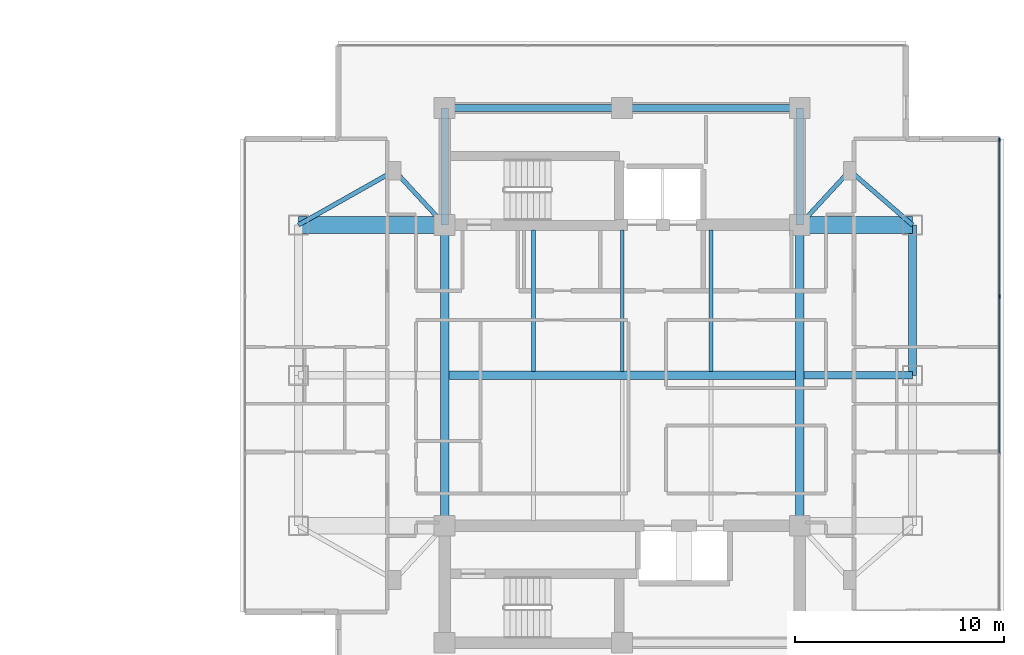
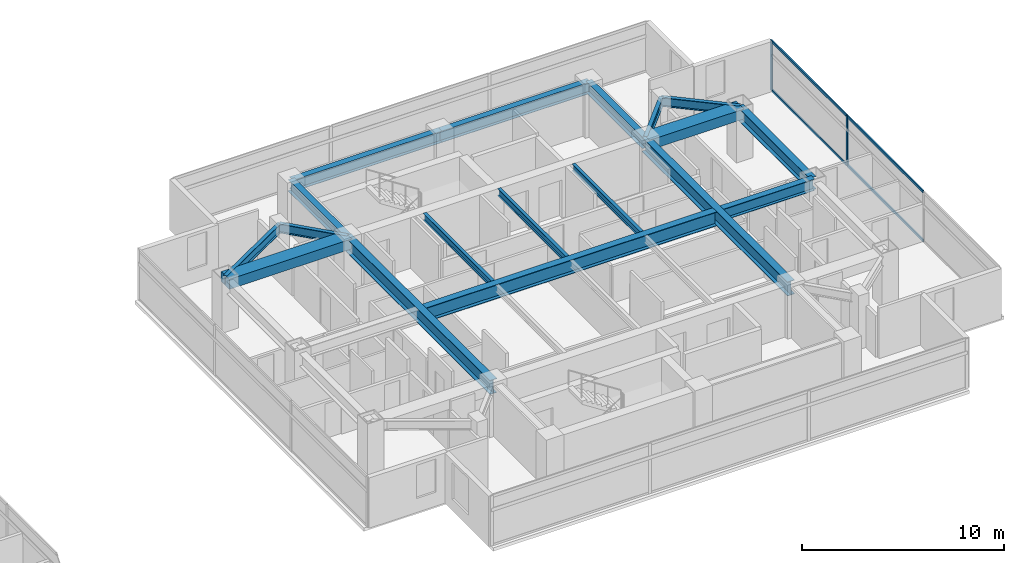
# One storey, part 9 of 25: 18 beams, 6 members, 1 element without a shape of its own.
"""IFC4 building model written with IfcOpenShell, lengths in metres."""

from ifc_helpers import new_model, si_unit, direction, frame, origin, origin_2d, place, context, subcontext, project, spatial, rectangle, i_section, extrude, material, material_profile, profile_set, type_object, element, aggregate, save


model = new_model("IFC4")

# Units and contexts
model_context = context("Model", 3, precision=1e-05, world=origin(), true_north=direction((0.0, 1.0)))
body_context = subcontext(model_context, "Body", "Model", "MODEL_VIEW")
ifc_project = project(units=[si_unit("LENGTHUNIT", "METRE"), si_unit("AREAUNIT", "SQUARE_METRE"), si_unit("VOLUMEUNIT", "CUBIC_METRE"), si_unit("PLANEANGLEUNIT", "RADIAN"), si_unit("MASSUNIT", "GRAM", prefix="KILO")], contexts=[model_context])

# Site, building, storey
site_placement = place(None, origin())
site = spatial("IfcSite", under=ifc_project, at=site_placement, CompositionType="ELEMENT")
building_placement = place(site_placement, origin())
building = spatial("IfcBuilding", under=site, at=building_placement, Name="Mirazonda Arch Towers", CompositionType="ELEMENT")
storey_placement = place(building_placement, frame((0.0, 0.0, 173.89990234375)))
storey = spatial("IfcBuildingStorey", under=building, at=storey_placement, Name="L49", CompositionType="ELEMENT", Elevation=173.89990234375)

# Beams
ifc_material_1 = material(Name="Steel ASTM A992 Grade 50", Category="steel")
ifc_material_profile_1 = material_profile(ifc_material_1, i_section(OverallWidth=0.381103515625, OverallDepth=0.77294921875, WebThickness=0.0166015625, FlangeThickness=0.027099609375, at=origin_2d()), Name="W30X173")
ifc_profile_set_1 = profile_set([ifc_material_profile_1], Name="Steel ASTM A992 Grade 50")
beam_type_1 = type_object("IfcBeamType", Name="BM-EXT-W30X173", PredefinedType="USERDEFINED", material=ifc_profile_set_1)
beam_1_placement = place(storey_placement, frame((90.39990234375, 28.0, 2.66357421875), z_axis=(0.0, 1.0, 0.0), x_axis=(-1.0, 0.0, 0.0)))
element("IfcBeam", 1, at=beam_1_placement, inside=storey, type_object=beam_type_1, Name="L49 Floor Beam BM-T2-L49-NS-E-28", ObjectType="GIRDER", PredefinedType="USERDEFINED", context=body_context, shape_type="SweptSolid", body=[
    extrude(i_section(OverallWidth=0.381103515625, OverallDepth=0.77294921875, WebThickness=0.0166015625, FlangeThickness=0.027099609375, at=origin_2d()), origin(), (0.0, 0.0, 1.0), 7.199951171875),
])
ifc_material_profile_2 = material_profile(ifc_material_1, i_section(OverallWidth=0.180908203125, OverallDepth=0.4169921875, WebThickness=0.010986328125, FlangeThickness=0.018310546875, at=origin_2d()), Name="W16X57")
ifc_profile_set_2 = profile_set([ifc_material_profile_2], Name="Steel ASTM A992 Grade 50")
beam_type_2 = type_object("IfcBeamType", Name="BM-INT-W16X57", PredefinedType="JOIST", material=ifc_profile_set_2)
for number, where, z_axis, x_axis, name in (
    (2, (72.25, 28.196044921875, 2.841552734375), (0.0, 1.0, 0.0), (-1.0, 0.0, 0.0), "L49 Floor Beam BM-T2-L49-J-722-28"),
    (3, (76.5, 28.196044921875, 2.841552734375), (0.0, 1.0, 0.0), (-1.0, 0.0, 0.0), "L49 Floor Beam BM-T2-L49-J-765-28"),
    (4, (80.75, 28.196044921875, 2.841552734375), (0.0, 1.0, 0.0), (-1.0, 0.0, 0.0), "L49 Floor Beam BM-T2-L49-J-807-28"),
):
    element("IfcBeam", number, at=place(storey_placement, frame(where, z_axis=z_axis, x_axis=x_axis)), inside=storey, type_object=beam_type_2, Name=name, PredefinedType="JOIST", context=body_context, shape_type="SweptSolid", body=[
        extrude(i_section(OverallWidth=0.180908203125, OverallDepth=0.4169921875, WebThickness=0.010986328125, FlangeThickness=0.018310546875, at=origin_2d()), origin(), (0.0, 0.0, 1.0), 6.763916015625),
    ])
ifc_material_profile_3 = material_profile(ifc_material_1, i_section(OverallWidth=0.214111328125, OverallDepth=0.549072265625, WebThickness=0.0146484375, FlangeThickness=0.023681640625, at=origin_2d()), Name="W21X93")
ifc_profile_set_3 = profile_set([ifc_material_profile_3], Name="Steel ASTM A992 Grade 50")
beam_type_3 = type_object("IfcBeamType", Name="BM-INT-W21X93", PredefinedType="BEAM", material=ifc_profile_set_3)
beam_2_placement = place(storey_placement, frame((65.60009765625, 37.800048828125, 2.775634765625), z_axis=(0.678251444854, -0.734829897019, 0.0), x_axis=(0.734829897019, 0.678251444854, 0.0)))
element("IfcBeam", 5, at=beam_2_placement, inside=storey, type_object=beam_type_3, Name="L49 Floor Beam BM-T2-L49-PL-NW1", PredefinedType="BEAM", context=body_context, shape_type="SweptSolid", body=[
    extrude(i_section(OverallWidth=0.214111328125, OverallDepth=0.549072265625, WebThickness=0.0146484375, FlangeThickness=0.023681640625, at=origin_2d()), origin(), (0.0, 0.0, 1.0), 3.538330078125),
])
beam_3_placement = place(storey_placement, frame((65.60009765625, 37.800048828125, 2.775634765625), z_axis=(-0.870559396632, -0.492063346467, 0.0), x_axis=(0.492063346467, -0.870559396632, 0.0)))
element("IfcBeam", 6, at=beam_3_placement, inside=storey, type_object=beam_type_3, Name="L49 Floor Beam BM-T2-L49-PL-NW2", PredefinedType="BEAM", context=body_context, shape_type="SweptSolid", body=[
    extrude(i_section(OverallWidth=0.214111328125, OverallDepth=0.549072265625, WebThickness=0.0146484375, FlangeThickness=0.023681640625, at=origin_2d()), origin(), (0.0, 0.0, 1.0), 5.2841796875),
])
beam_4_placement = place(storey_placement, frame((87.39990234375, 37.800048828125, 2.775634765625), z_axis=(-0.678251444854, -0.734829897019, 0.0), x_axis=(0.734829897019, -0.678251444854, 0.0)))
element("IfcBeam", 7, at=beam_4_placement, inside=storey, type_object=beam_type_3, Name="L49 Floor Beam BM-T2-L49-PL-NE1", PredefinedType="BEAM", context=body_context, shape_type="SweptSolid", body=[
    extrude(i_section(OverallWidth=0.214111328125, OverallDepth=0.549072265625, WebThickness=0.0146484375, FlangeThickness=0.023681640625, at=origin_2d()), origin(), (0.0, 0.0, 1.0), 3.538330078125),
])
beam_5_placement = place(storey_placement, frame((87.39990234375, 37.800048828125, 2.775634765625), z_axis=(0.755676908098, -0.654944585876, 0.0), x_axis=(0.654944585876, 0.755676908098, 0.0)))
element("IfcBeam", 8, at=beam_5_placement, inside=storey, type_object=beam_type_3, Name="L49 Floor Beam BM-T2-L49-PL-NE2", PredefinedType="BEAM", context=body_context, shape_type="SweptSolid", body=[
    extrude(i_section(OverallWidth=0.214111328125, OverallDepth=0.549072265625, WebThickness=0.0146484375, FlangeThickness=0.023681640625, at=origin_2d()), origin(), (0.0, 0.0, 1.0), 3.969970703125),
])
ifc_material_profile_4 = material_profile(ifc_material_1, i_section(OverallWidth=0.35498046875, OverallDepth=0.696044921875, WebThickness=0.015380859375, FlangeThickness=0.02490234375, at=origin_2d()), Name="W27X146")
ifc_profile_set_4 = profile_set([ifc_material_profile_4], Name="Steel ASTM A992 Grade 50")
beam_type_4 = type_object("IfcBeamType", Name="BM-INT-W27X146", PredefinedType="BEAM", material=ifc_profile_set_4)
for number, where, z_axis, x_axis, name in (
    (9, (68.0, 40.800048828125, 2.7021484375), (1.0, 0.0, 0.0), (0.0, 1.0, 0.0), "L49 Floor Beam BM-T2-L49-CN1"),
    (10, (76.5, 40.800048828125, 2.7021484375), (1.0, 0.0, 0.0), (0.0, 1.0, 0.0), "L49 Floor Beam BM-T2-L49-CN2"),
):
    element("IfcBeam", number, at=place(storey_placement, frame(where, z_axis=z_axis, x_axis=x_axis)), inside=storey, type_object=beam_type_4, Name=name, PredefinedType="BEAM", context=body_context, shape_type="SweptSolid", body=[
        extrude(i_section(OverallWidth=0.35498046875, OverallDepth=0.696044921875, WebThickness=0.015380859375, FlangeThickness=0.02490234375, at=origin_2d()), origin(), (0.0, 0.0, 1.0), 8.5),
    ])
for number, where, z_axis, x_axis, name in (
    (11, (68.0, 35.199951171875, 2.7021484375), (0.0, 1.0, 0.0), (-1.0, 0.0, 0.0), "L49 Floor Beam BM-T2-L49-CNW"),
    (12, (85.0, 35.199951171875, 2.7021484375), (0.0, 1.0, 0.0), (-1.0, 0.0, 0.0), "L49 Floor Beam BM-T2-L49-CNE"),
):
    element("IfcBeam", number, at=place(storey_placement, frame(where, z_axis=z_axis, x_axis=x_axis)), inside=storey, type_object=beam_type_4, Name=name, PredefinedType="BEAM", context=body_context, shape_type="SweptSolid", body=[
        extrude(i_section(OverallWidth=0.35498046875, OverallDepth=0.696044921875, WebThickness=0.015380859375, FlangeThickness=0.02490234375, at=origin_2d()), origin(), (0.0, 0.0, 1.0), 5.60009765625),
    ])
beam_6_placement = place(storey_placement, frame((85.199951171875, 28.0, 2.7021484375), z_axis=(1.0, 0.0, 0.0), x_axis=(0.0, 1.0, 0.0)))
element("IfcBeam", 13, at=beam_6_placement, inside=storey, type_object=beam_type_4, Name="L49 Floor Beam BM-T2-L49-GE2", PredefinedType="BEAM", context=body_context, shape_type="SweptSolid", body=[
    extrude(i_section(OverallWidth=0.35498046875, OverallDepth=0.696044921875, WebThickness=0.015380859375, FlangeThickness=0.02490234375, at=origin_2d()), origin(), (0.0, 0.0, 1.0), 5.199951171875),
])
ifc_material_profile_5 = material_profile(ifc_material_1, i_section(OverallWidth=0.39990234375, OverallDepth=0.85595703125, WebThickness=0.018310546875, FlangeThickness=0.029296875, at=origin_2d()), Name="W33X201")
ifc_profile_set_5 = profile_set([ifc_material_profile_5], Name="Steel ASTM A992 Grade 50")
beam_type_5 = type_object("IfcBeamType", Name="BM-INT-W33X201", PredefinedType="USERDEFINED", material=ifc_profile_set_5)
beam_7_placement = place(storey_placement, frame((68.199951171875, 28.0, 2.6220703125), z_axis=(1.0, 0.0, 0.0), x_axis=(0.0, 1.0, 0.0)))
element("IfcBeam", 14, at=beam_7_placement, inside=storey, type_object=beam_type_5, Name="L49 Floor Beam BM-T2-L49-GC2", ObjectType="GIRDER", PredefinedType="USERDEFINED", context=body_context, shape_type="SweptSolid", body=[
    extrude(i_section(OverallWidth=0.39990234375, OverallDepth=0.85595703125, WebThickness=0.018310546875, FlangeThickness=0.029296875, at=origin_2d()), origin(), (0.0, 0.0, 1.0), 16.60009765625),
])
for number, where, z_axis, x_axis, name in (
    (15, (68.0, 20.800048828125, 2.6220703125), (0.0, 1.0, 0.0), (-1.0, 0.0, 0.0), "L49 Floor Beam BM-T2-L49-NS-CW-FULL"),
    (16, (85.0, 20.800048828125, 2.6220703125), (0.0, 1.0, 0.0), (-1.0, 0.0, 0.0), "L49 Floor Beam BM-T2-L49-NS-CE-FULL"),
):
    element("IfcBeam", number, at=place(storey_placement, frame(where, z_axis=z_axis, x_axis=x_axis)), inside=storey, type_object=beam_type_5, Name=name, ObjectType="GIRDER", PredefinedType="USERDEFINED", context=body_context, shape_type="SweptSolid", body=[
        extrude(i_section(OverallWidth=0.39990234375, OverallDepth=0.85595703125, WebThickness=0.018310546875, FlangeThickness=0.029296875, at=origin_2d()), origin(), (0.0, 0.0, 1.0), 14.39990234375),
    ])
ifc_material_2 = material(Name="Concrete C60/75", Category="concrete")
ifc_material_profile_6 = material_profile(ifc_material_2, rectangle(XDim=0.800048828125, YDim=0.60009765625, at=origin_2d()), Name="RCCB800x600")
ifc_profile_set_6 = profile_set([ifc_material_profile_6], Name="Concrete C60/75")
beam_type_6 = type_object("IfcBeamType", Name="CB-INT-RCCB800x600", PredefinedType="SPANDREL", material=ifc_profile_set_6)
beam_8_placement = place(storey_placement, frame((61.0, 35.199951171875, 2.75), z_axis=(1.0, 0.0, 0.0), x_axis=(0.0, 1.0, 0.0)))
element("IfcBeam", 17, at=beam_8_placement, inside=storey, type_object=beam_type_6, Name="L49 Floor Beam CBC-T2-L49-NW", PredefinedType="SPANDREL", context=body_context, shape_type="SweptSolid", body=[
    extrude(rectangle(XDim=0.800048828125, YDim=0.60009765625, at=origin_2d()), origin(), (0.0, 0.0, 1.0), 7.0),
])
beam_9_placement = place(storey_placement, frame((85.0, 35.199951171875, 2.75), z_axis=(1.0, 0.0, 0.0), x_axis=(0.0, 1.0, 0.0)))
element("IfcBeam", 18, at=beam_9_placement, inside=storey, type_object=beam_type_6, Name="L49 Floor Beam CBC-T2-L49-NE", PredefinedType="SPANDREL", context=body_context, shape_type="SweptSolid", body=[
    extrude(rectangle(XDim=0.800048828125, YDim=0.60009765625, at=origin_2d()), origin(), (0.0, 0.0, 1.0), 5.39990234375),
])

# Curtain wall, members
ifc_material_3 = material(Name="Anodised Aluminium and Low-E Glass", Category="aluminium")
curtain_wall_type = type_object("IfcCurtainWallType", Name="CW-RES-UNIT", PredefinedType="NOTDEFINED", material=ifc_material_3)
curtain_wall_placement = place(storey_placement, origin())
curtain_wall = element("IfcCurtainWall", 19, at=curtain_wall_placement, inside=storey, type_object=curtain_wall_type, Name="L49 T2 E Facade CW-L49-T2-E", PredefinedType="NOTDEFINED")
ifc_material_4 = material(Name="Anodised Aluminium Alloy", Category="aluminium")
ifc_material_profile_7 = material_profile(ifc_material_4, rectangle(XDim=0.074951171875, YDim=0.175048828125, at=origin_2d()), Name="ALU-MULL-75x175")
ifc_profile_set_7 = profile_set([ifc_material_profile_7], Name="Anodised Aluminium Alloy")
member_type_1 = type_object("IfcMemberType", Name="MULL-CW-RES-UNIT", PredefinedType="MULLION", material=ifc_profile_set_7)
member_1_placement = place(storey_placement, frame((94.560546875, 31.775390625, 0.0), z_axis=(0.0, 0.0, 1.0), x_axis=(-1.0, 0.0, 0.0)))
member_1 = element("IfcMember", 20, at=member_1_placement, type_object=member_type_1, Name="CW-104 mullion 3", PredefinedType="MULLION", context=body_context, shape_type="SweptSolid", body=[
    extrude(rectangle(XDim=0.074951171875, YDim=0.175048828125, at=origin_2d()), origin(), (0.0, 0.0, 1.0), 3.030029296875),
])
member_2_placement = place(storey_placement, frame((94.560546875, 39.28857421875, 0.0), z_axis=(0.0, 0.0, 1.0), x_axis=(-1.0, 0.0, 0.0)))
member_2 = element("IfcMember", 21, at=member_2_placement, type_object=member_type_1, Name="CW-104 mullion 4", PredefinedType="MULLION", context=body_context, shape_type="SweptSolid", body=[
    extrude(rectangle(XDim=0.074951171875, YDim=0.175048828125, at=origin_2d()), origin(), (0.0, 0.0, 1.0), 3.030029296875),
])
ifc_material_profile_8 = material_profile(ifc_material_4, rectangle(XDim=0.074951171875, YDim=0.155029296875, at=origin_2d()), Name="ALU-TRAN-75x155")
ifc_profile_set_8 = profile_set([ifc_material_profile_8], Name="Anodised Aluminium Alloy")
member_type_2 = type_object("IfcMemberType", Name="TRAN-CW-RES-UNIT", PredefinedType="USERDEFINED", material=ifc_profile_set_8)
member_3_placement = place(storey_placement, frame((94.560546875, 24.26220703125, 0.03759765625), z_axis=(0.0, 1.0, 0.0), x_axis=(-1.0, 0.0, 0.0)))
member_3 = element("IfcMember", 22, at=member_3_placement, type_object=member_type_2, Name="CW-104 transom 2.1", ObjectType="TRANSOM", PredefinedType="USERDEFINED", context=body_context, shape_type="SweptSolid", body=[
    extrude(rectangle(XDim=0.074951171875, YDim=0.155029296875, at=origin_2d()), origin(), (0.0, 0.0, 1.0), 7.4755859375),
])
member_4_placement = place(storey_placement, frame((94.560546875, 24.26220703125, 2.99267578125), z_axis=(0.0, 1.0, 0.0), x_axis=(-1.0, 0.0, 0.0)))
member_4 = element("IfcMember", 23, at=member_4_placement, type_object=member_type_2, Name="CW-104 transom 2.2", ObjectType="TRANSOM", PredefinedType="USERDEFINED", context=body_context, shape_type="SweptSolid", body=[
    extrude(rectangle(XDim=0.074951171875, YDim=0.155029296875, at=origin_2d()), origin(), (0.0, 0.0, 1.0), 7.4755859375),
])
member_5_placement = place(storey_placement, frame((94.560546875, 31.81298828125, 0.03759765625), z_axis=(0.0, 1.0, 0.0), x_axis=(-1.0, 0.0, 0.0)))
member_5 = element("IfcMember", 24, at=member_5_placement, type_object=member_type_2, Name="CW-104 transom 3.1", ObjectType="TRANSOM", PredefinedType="USERDEFINED", context=body_context, shape_type="SweptSolid", body=[
    extrude(rectangle(XDim=0.074951171875, YDim=0.155029296875, at=origin_2d()), origin(), (0.0, 0.0, 1.0), 7.438232421875),
])
member_6_placement = place(storey_placement, frame((94.560546875, 31.81298828125, 2.99267578125), z_axis=(0.0, 1.0, 0.0), x_axis=(-1.0, 0.0, 0.0)))
member_6 = element("IfcMember", 25, at=member_6_placement, type_object=member_type_2, Name="CW-104 transom 3.2", ObjectType="TRANSOM", PredefinedType="USERDEFINED", context=body_context, shape_type="SweptSolid", body=[
    extrude(rectangle(XDim=0.074951171875, YDim=0.155029296875, at=origin_2d()), origin(), (0.0, 0.0, 1.0), 7.438232421875),
])
aggregate(curtain_wall, [member_1, member_2, member_3, member_4, member_5, member_6])

save(model, "model.ifc")
